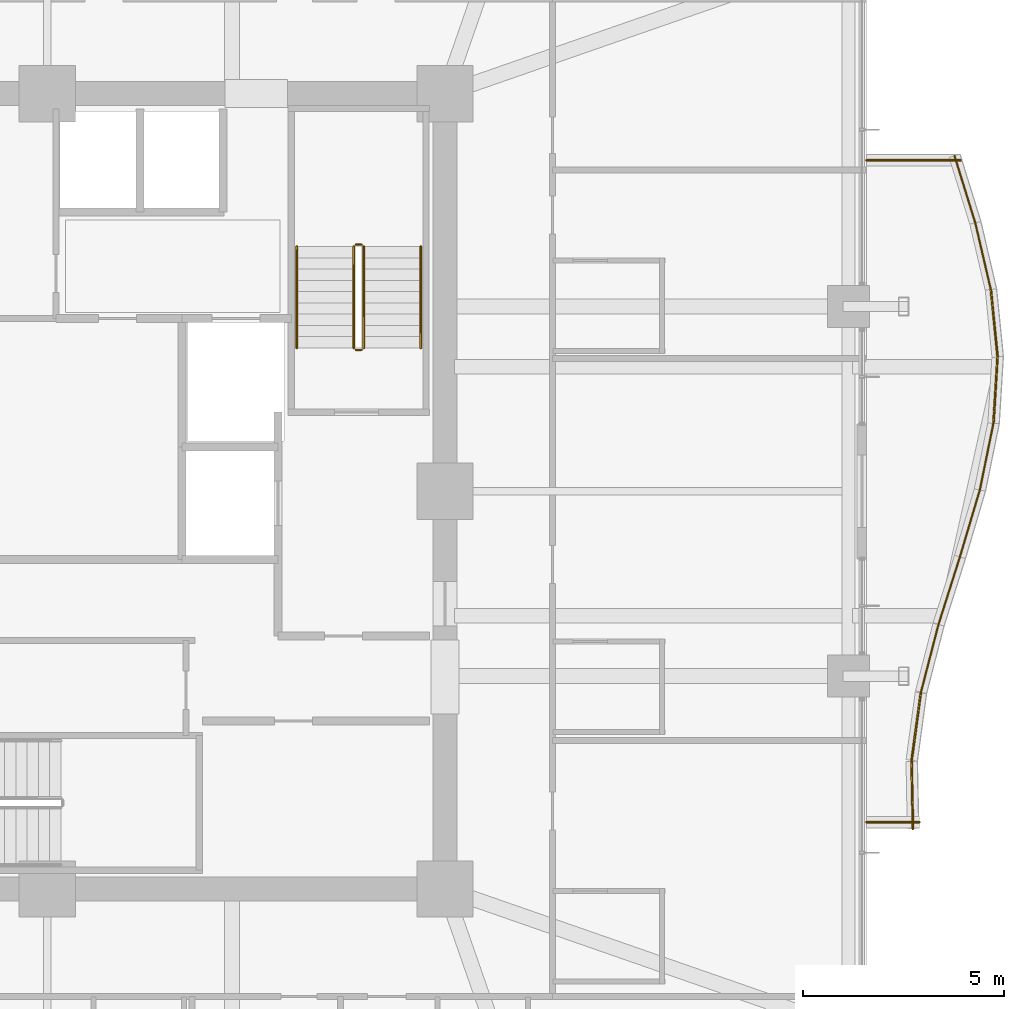
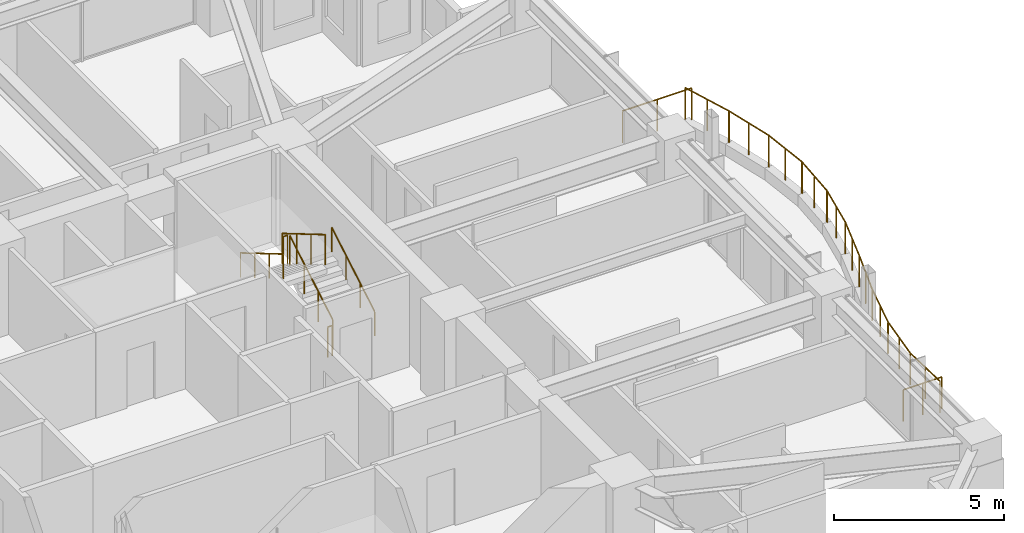
# One storey, part 37 of 37: 18 railings.
"""IFC4 building model written with IfcOpenShell, lengths in metres."""

from ifc_helpers import new_model, si_unit, direction, frame, origin, origin_2d, place, context, subcontext, project, spatial, circle, extrude, material, type_object, element, save


model = new_model("IFC4")

# Units and contexts
model_context = context("Model", 3, precision=1e-05, world=origin(), true_north=direction((0.0, 1.0)))
body_context = subcontext(model_context, "Body", "Model", "MODEL_VIEW")
ifc_project = project(units=[si_unit("LENGTHUNIT", "METRE"), si_unit("AREAUNIT", "SQUARE_METRE"), si_unit("VOLUMEUNIT", "CUBIC_METRE"), si_unit("PLANEANGLEUNIT", "RADIAN"), si_unit("MASSUNIT", "GRAM", prefix="KILO")], contexts=[model_context])

# Site, building, storey
site_placement = place(None, origin())
site = spatial("IfcSite", under=ifc_project, at=site_placement, CompositionType="ELEMENT")
building_placement = place(site_placement, origin())
building = spatial("IfcBuilding", under=site, at=building_placement, Name="Kolvaren Belvedere", CompositionType="ELEMENT")
storey_placement = place(building_placement, frame((0.0, 0.0, 75.5)))
storey = spatial("IfcBuildingStorey", under=building, at=storey_placement, Name="L21", CompositionType="ELEMENT", Elevation=75.5)

# Railings
ifc_material_1 = material(Name="Anodised pale-metal aluminium & laminated glass guard", Category="aluminium")
railing_type_1 = type_object("IfcRailingType", Name="RL-GUARD-1150", PredefinedType="GUARDRAIL", material=ifc_material_1)
railing_1_placement = place(storey_placement, frame((21.552978515625, -8.4033203125, 0.3798828125)))
element("IfcRailing", 1, at=railing_1_placement, inside=storey, type_object=railing_type_1, Name="L21 Exterior Deck Safety Guard BAL-E-1", PredefinedType="GUARDRAIL", context=body_context, shape_type="SweptSolid", body=[
    extrude(circle(Radius=0.02392578125, at=origin_2d()), frame((0.0, 0.0, 1.1259765625), z_axis=(-0.020193498486, 0.99979609052, 0.0), x_axis=(-0.99979609052, -0.020193498486, 0.0)), (0.0, 0.0, 1.0), 1.680419921875),
    extrude(circle(Radius=0.02099609375, at=origin_2d()), origin(), (0.0, 0.0, 1.0), 1.101806640625),
    extrude(circle(Radius=0.02099609375, at=origin_2d()), frame((-0.01708984375, 0.840087890625, 0.0)), (0.0, 0.0, 1.0), 1.101806640625),
    extrude(circle(Radius=0.02099609375, at=origin_2d()), frame((-0.033935546875, 1.68017578125, 0.0)), (0.0, 0.0, 1.0), 1.101806640625),
])
railing_2_placement = place(storey_placement, frame((21.5205078125, -6.698486328125, 0.3798828125)))
element("IfcRailing", 2, at=railing_2_placement, inside=storey, type_object=railing_type_1, Name="L21 Exterior Deck Safety Guard BAL-E-2", PredefinedType="GUARDRAIL", context=body_context, shape_type="SweptSolid", body=[
    extrude(circle(Radius=0.02392578125, at=origin_2d()), frame((0.0, 0.0, 1.1259765625), z_axis=(0.134907602079, 0.990858183042, 0.0), x_axis=(-0.990858183042, 0.134907602079, 0.0)), (0.0, 0.0, 1.0), 1.695556640625),
    extrude(circle(Radius=0.02099609375, at=origin_2d()), origin(), (0.0, 0.0, 1.0), 1.101806640625),
    extrude(circle(Radius=0.02099609375, at=origin_2d()), frame((0.1142578125, 0.840087890625, 0.0)), (0.0, 0.0, 1.0), 1.101806640625),
    extrude(circle(Radius=0.02099609375, at=origin_2d()), frame((0.228759765625, 1.68017578125, 0.0)), (0.0, 0.0, 1.0), 1.101806640625),
])
railing_3_placement = place(storey_placement, frame((21.7529296875, -5.0, 0.3798828125)))
element("IfcRailing", 3, at=railing_3_placement, inside=storey, type_object=railing_type_1, Name="L21 Exterior Deck Safety Guard BAL-E-3", PredefinedType="GUARDRAIL", context=body_context, shape_type="SweptSolid", body=[
    extrude(circle(Radius=0.02392578125, at=origin_2d()), frame((0.0, 0.0, 1.1259765625), z_axis=(0.250405556038, 0.968141031826, 0.0), x_axis=(-0.968141031826, 0.250405556038, 0.0)), (0.0, 0.0, 1.0), 1.7353515625),
    extrude(circle(Radius=0.02099609375, at=origin_2d()), origin(), (0.0, 0.0, 1.0), 1.101806640625),
    extrude(circle(Radius=0.02099609375, at=origin_2d()), frame((0.21728515625, 0.840087890625, 0.0)), (0.0, 0.0, 1.0), 1.101806640625),
    extrude(circle(Radius=0.02099609375, at=origin_2d()), frame((0.4345703125, 1.68017578125, 0.0)), (0.0, 0.0, 1.0), 1.101806640625),
])
railing_4_placement = place(storey_placement, frame((22.18994140625, -3.3115234375, 0.3798828125)))
element("IfcRailing", 4, at=railing_4_placement, inside=storey, type_object=railing_type_1, Name="L21 Exterior Deck Safety Guard BAL-E-4", PredefinedType="GUARDRAIL", context=body_context, shape_type="SweptSolid", body=[
    extrude(circle(Radius=0.02392578125, at=origin_2d()), frame((0.0, 0.0, 1.1259765625), z_axis=(0.302397356111, 0.953181954832, 0.0), x_axis=(-0.953181954832, 0.302397356111, 0.0)), (0.0, 0.0, 1.0), 1.762451171875),
    extrude(circle(Radius=0.02099609375, at=origin_2d()), origin(), (0.0, 0.0, 1.0), 1.101806640625),
    extrude(circle(Radius=0.02099609375, at=origin_2d()), frame((0.2666015625, 0.83984375, 0.0)), (0.0, 0.0, 1.0), 1.101806640625),
    extrude(circle(Radius=0.02099609375, at=origin_2d()), frame((0.532958984375, 1.679931640625, 0.0)), (0.0, 0.0, 1.0), 1.101806640625),
])
railing_5_placement = place(storey_placement, frame((22.721923828125, -1.634521484375, 0.3798828125)))
element("IfcRailing", 5, at=railing_5_placement, inside=storey, type_object=railing_type_1, Name="L21 Exterior Deck Safety Guard BAL-E-5", PredefinedType="GUARDRAIL", context=body_context, shape_type="SweptSolid", body=[
    extrude(circle(Radius=0.02392578125, at=origin_2d()), frame((0.0, 0.0, 1.1259765625), z_axis=(0.284970268083, 0.958536356279, 0.0), x_axis=(-0.958536356279, 0.284970268083, 0.0)), (0.0, 0.0, 1.0), 1.7529296875),
    extrude(circle(Radius=0.02099609375, at=origin_2d()), origin(), (0.0, 0.0, 1.0), 1.101806640625),
    extrude(circle(Radius=0.02099609375, at=origin_2d()), frame((0.249755859375, 0.840087890625, 0.0)), (0.0, 0.0, 1.0), 1.101806640625),
    extrude(circle(Radius=0.02099609375, at=origin_2d()), frame((0.49951171875, 1.68017578125, 0.0)), (0.0, 0.0, 1.0), 1.101806640625),
])
railing_6_placement = place(storey_placement, frame((23.218017578125, 0.031982421875, 0.3798828125)))
element("IfcRailing", 6, at=railing_6_placement, inside=storey, type_object=railing_type_1, Name="L21 Exterior Deck Safety Guard BAL-E-6", PredefinedType="GUARDRAIL", context=body_context, shape_type="SweptSolid", body=[
    extrude(circle(Radius=0.02392578125, at=origin_2d()), frame((0.0, 0.0, 1.1259765625), z_axis=(0.199647526069, 0.979867779516, 0.0), x_axis=(-0.979867779516, 0.199647526069, 0.0)), (0.0, 0.0, 1.0), 1.71435546875),
    extrude(circle(Radius=0.02099609375, at=origin_2d()), origin(), (0.0, 0.0, 1.0), 1.101806640625),
    extrude(circle(Radius=0.02099609375, at=origin_2d()), frame((0.171142578125, 0.83984375, 0.0)), (0.0, 0.0, 1.0), 1.101806640625),
    extrude(circle(Radius=0.02099609375, at=origin_2d()), frame((0.34228515625, 1.679931640625, 0.0)), (0.0, 0.0, 1.0), 1.101806640625),
])
railing_7_placement = place(storey_placement, frame((23.5576171875, 1.689697265625, 0.3798828125)))
element("IfcRailing", 7, at=railing_7_placement, inside=storey, type_object=railing_type_1, Name="L21 Exterior Deck Safety Guard BAL-E-7", PredefinedType="GUARDRAIL", context=body_context, shape_type="SweptSolid", body=[
    extrude(circle(Radius=0.02392578125, at=origin_2d()), frame((0.0, 0.0, 1.1259765625), z_axis=(0.061059932685, 0.998134101522, 0.0), x_axis=(-0.998134101522, 0.061059932685, 0.0)), (0.0, 0.0, 1.0), 1.683349609375),
    extrude(circle(Radius=0.02099609375, at=origin_2d()), origin(), (0.0, 0.0, 1.0), 1.101806640625),
    extrude(circle(Radius=0.02099609375, at=origin_2d()), frame((0.05126953125, 0.840087890625, 0.0)), (0.0, 0.0, 1.0), 1.101806640625),
    extrude(circle(Radius=0.02099609375, at=origin_2d()), frame((0.102783203125, 1.68017578125, 0.0)), (0.0, 0.0, 1.0), 1.101806640625),
])
railing_8_placement = place(storey_placement, frame((23.660888671875, 3.343994140625, 0.3798828125)))
element("IfcRailing", 8, at=railing_8_placement, inside=storey, type_object=railing_type_1, Name="L21 Exterior Deck Safety Guard BAL-E-8", PredefinedType="GUARDRAIL", context=body_context, shape_type="SweptSolid", body=[
    extrude(circle(Radius=0.02392578125, at=origin_2d()), frame((0.0, 0.0, 1.1259765625), z_axis=(-0.099618240186, 0.995025731437, 0.0), x_axis=(-0.995025731437, -0.099618240186, 0.0)), (0.0, 0.0, 1.0), 1.6884765625),
    extrude(circle(Radius=0.02099609375, at=origin_2d()), origin(), (0.0, 0.0, 1.0), 1.101806640625),
    extrude(circle(Radius=0.02099609375, at=origin_2d()), frame((-0.083984375, 0.840087890625, 0.0)), (0.0, 0.0, 1.0), 1.101806640625),
    extrude(circle(Radius=0.02099609375, at=origin_2d()), frame((-0.168212890625, 1.68017578125, 0.0)), (0.0, 0.0, 1.0), 1.101806640625),
])
railing_9_placement = place(storey_placement, frame((23.49609375, 5.003662109375, 0.3798828125)))
element("IfcRailing", 9, at=railing_9_placement, inside=storey, type_object=railing_type_1, Name="L21 Exterior Deck Safety Guard BAL-E-9", PredefinedType="GUARDRAIL", context=body_context, shape_type="SweptSolid", body=[
    extrude(circle(Radius=0.02392578125, at=origin_2d()), frame((0.0, 0.0, 1.1259765625), z_axis=(-0.227019323824, 0.973890253884, 0.0), x_axis=(-0.973890253884, -0.227019323824, 0.0)), (0.0, 0.0, 1.0), 1.724853515625),
    extrude(circle(Radius=0.02099609375, at=origin_2d()), origin(), (0.0, 0.0, 1.0), 1.101806640625),
    extrude(circle(Radius=0.02099609375, at=origin_2d()), frame((-0.19580078125, 0.83984375, 0.0)), (0.0, 0.0, 1.0), 1.101806640625),
    extrude(circle(Radius=0.02099609375, at=origin_2d()), frame((-0.3916015625, 1.679931640625, 0.0)), (0.0, 0.0, 1.0), 1.101806640625),
])
railing_10_placement = place(storey_placement, frame((23.107421875, 6.672607421875, 0.3798828125)))
element("IfcRailing", 10, at=railing_10_placement, inside=storey, type_object=railing_type_1, Name="L21 Exterior Deck Safety Guard BAL-E-10", PredefinedType="GUARDRAIL", context=body_context, shape_type="SweptSolid", body=[
    extrude(circle(Radius=0.02392578125, at=origin_2d()), frame((0.0, 0.0, 1.1259765625), z_axis=(-0.29579229954, 0.955252278476, 0.0), x_axis=(-0.955252278476, -0.29579229954, 0.0)), (0.0, 0.0, 1.0), 1.7587890625),
    extrude(circle(Radius=0.02099609375, at=origin_2d()), origin(), (0.0, 0.0, 1.0), 1.101806640625),
    extrude(circle(Radius=0.02099609375, at=origin_2d()), frame((-0.26025390625, 0.840087890625, 0.0)), (0.0, 0.0, 1.0), 1.101806640625),
    extrude(circle(Radius=0.02099609375, at=origin_2d()), frame((-0.520263671875, 1.68017578125, 0.0)), (0.0, 0.0, 1.0), 1.101806640625),
])
railing_11_placement = place(storey_placement, frame((22.739990234375, 8.239990234375, 0.3798828125)))
element("IfcRailing", 11, at=railing_11_placement, inside=storey, type_object=railing_type_1, Name="L21 Exterior Deck Safety Guard BAL-E-11", PredefinedType="GUARDRAIL", context=body_context, shape_type="SweptSolid", body=[
    extrude(circle(Radius=0.02392578125, at=origin_2d()), frame((0.0, 0.0, 1.1259765625), z_axis=(-1.0, 0.0, 0.0), x_axis=(0.0, -1.0, 0.0)), (0.0, 0.0, 1.0), 2.340087890625),
    extrude(circle(Radius=0.02099609375, at=origin_2d()), origin(), (0.0, 0.0, 1.0), 1.101806640625),
    extrude(circle(Radius=0.02099609375, at=origin_2d()), frame((-1.169921875, 0.0, 0.0)), (0.0, 0.0, 1.0), 1.101806640625),
    extrude(circle(Radius=0.02099609375, at=origin_2d()), frame((-2.340087890625, 0.0, 0.0)), (0.0, 0.0, 1.0), 1.101806640625),
])
railing_12_placement = place(storey_placement, frame((20.39990234375, -8.239990234375, 0.3798828125)))
element("IfcRailing", 12, at=railing_12_placement, inside=storey, type_object=railing_type_1, Name="L21 Exterior Deck Safety Guard BAL-E-22", PredefinedType="GUARDRAIL", context=body_context, shape_type="SweptSolid", body=[
    extrude(circle(Radius=0.02392578125, at=origin_2d()), frame((0.0, 0.0, 1.1259765625), z_axis=(1.0, 0.0, 0.0), x_axis=(0.0, 1.0, 0.0)), (0.0, 0.0, 1.0), 1.31298828125),
    extrude(circle(Radius=0.02099609375, at=origin_2d()), origin(), (0.0, 0.0, 1.0), 1.101806640625),
    extrude(circle(Radius=0.02099609375, at=origin_2d()), frame((0.656494140625, 0.0, 0.0)), (0.0, 0.0, 1.0), 1.101806640625),
    extrude(circle(Radius=0.02099609375, at=origin_2d()), frame((1.31298828125, 0.0, 0.0)), (0.0, 0.0, 1.0), 1.101806640625),
])
ifc_material_2 = material(Name="Brushed stainless-steel handrail", Category="steel")
railing_type_2 = type_object("IfcRailingType", Name="RL-HANDRAIL-920", PredefinedType="HANDRAIL", material=ifc_material_2)
railing_13_placement = place(storey_placement, frame((9.300048828125, 3.570068359375, 0.1650390625)))
element("IfcRailing", 13, at=railing_13_placement, inside=storey, type_object=railing_type_2, Name="L21 ST-2 stair handrail 1", PredefinedType="HANDRAIL", context=body_context, shape_type="SweptSolid", body=[
    extrude(circle(Radius=0.02392578125, at=origin_2d()), frame((0.0, 0.0, 0.8759765625), z_axis=(0.0, 0.861560626758, 0.507654692109), x_axis=(-1.0, 0.0, 0.0)), (0.0, 0.0, 1.0), 2.925048828125),
    extrude(circle(Radius=0.02099609375, at=origin_2d()), origin(), (0.0, 0.0, 1.0), 0.851806640625),
    extrude(circle(Radius=0.02099609375, at=origin_2d()), frame((0.0, 0.840087890625, 0.494873046875)), (0.0, 0.0, 1.0), 0.851806640625),
    extrude(circle(Radius=0.02099609375, at=origin_2d()), frame((0.0, 1.679931640625, 0.989990234375)), (0.0, 0.0, 1.0), 0.851806640625),
    extrude(circle(Radius=0.02099609375, at=origin_2d()), frame((0.0, 2.52001953125, 1.48486328125)), (0.0, 0.0, 1.0), 0.851806640625),
])
railing_14_placement = place(storey_placement, frame((6.2099609375, 6.090087890625, 1.81494140625)))
element("IfcRailing", 14, at=railing_14_placement, inside=storey, type_object=railing_type_2, Name="L21 ST-2 stair handrail 2", PredefinedType="HANDRAIL", context=body_context, shape_type="SweptSolid", body=[
    extrude(circle(Radius=0.02392578125, at=origin_2d()), frame((0.0, 0.0, 0.8759765625), z_axis=(0.0, -0.86152411907, 0.507716645641), x_axis=(1.0, 0.0, 0.0)), (0.0, 0.0, 1.0), 2.925048828125),
    extrude(circle(Radius=0.02099609375, at=origin_2d()), origin(), (0.0, 0.0, 1.0), 0.851806640625),
    extrude(circle(Radius=0.02099609375, at=origin_2d()), frame((0.0, -0.840087890625, 0.4951171875)), (0.0, 0.0, 1.0), 0.851806640625),
    extrude(circle(Radius=0.02099609375, at=origin_2d()), frame((0.0, -1.679931640625, 0.989990234375)), (0.0, 0.0, 1.0), 0.851806640625),
    extrude(circle(Radius=0.02099609375, at=origin_2d()), frame((0.0, -2.52001953125, 1.485107421875)), (0.0, 0.0, 1.0), 0.851806640625),
])
ifc_material_3 = material(Name="Painted tubular steel stair guard", Category="steel")
railing_type_3 = type_object("IfcRailingType", Name="RL-STGUARD-1100", PredefinedType="GUARDRAIL", material=ifc_material_3)
railing_15_placement = place(storey_placement, frame((7.8798828125, 3.570068359375, 0.1650390625)))
element("IfcRailing", 15, at=railing_15_placement, inside=storey, type_object=railing_type_3, Name="L21 ST-2 stair guard 1", PredefinedType="GUARDRAIL", context=body_context, shape_type="SweptSolid", body=[
    extrude(circle(Radius=0.02392578125, at=origin_2d()), frame((0.0, 0.0, 1.076171875), z_axis=(0.0, 0.861560626758, 0.507654692109), x_axis=(-1.0, 0.0, 0.0)), (0.0, 0.0, 1.0), 2.925048828125),
    extrude(circle(Radius=0.02099609375, at=origin_2d()), origin(), (0.0, 0.0, 1.0), 1.052001953125),
    extrude(circle(Radius=0.02099609375, at=origin_2d()), frame((0.0, 0.840087890625, 0.494873046875)), (0.0, 0.0, 1.0), 1.052001953125),
    extrude(circle(Radius=0.02099609375, at=origin_2d()), frame((0.0, 1.679931640625, 0.989990234375)), (0.0, 0.0, 1.0), 1.052001953125),
    extrude(circle(Radius=0.02099609375, at=origin_2d()), frame((0.0, 2.52001953125, 1.48486328125)), (0.0, 0.0, 1.0), 1.052001953125),
])
railing_16_placement = place(storey_placement, frame((7.830078125, 6.139892578125, 1.64990234375)))
element("IfcRailing", 16, at=railing_16_placement, inside=storey, type_object=railing_type_3, Name="L21 ST-2 stair guard 2", PredefinedType="GUARDRAIL", context=body_context, shape_type="SweptSolid", body=[
    extrude(circle(Radius=0.02392578125, at=origin_2d()), frame((0.0, 0.0, 1.076171875), z_axis=(-1.0, 0.0, 0.0), x_axis=(0.0, -1.0, 0.0)), (0.0, 0.0, 1.0), 0.150146484375),
    extrude(circle(Radius=0.02099609375, at=origin_2d()), origin(), (0.0, 0.0, 1.0), 1.052001953125),
    extrude(circle(Radius=0.02099609375, at=origin_2d()), frame((-0.150146484375, 0.0, 0.0)), (0.0, 0.0, 1.0), 1.052001953125),
])
railing_17_placement = place(storey_placement, frame((7.6298828125, 6.090087890625, 1.81494140625)))
element("IfcRailing", 17, at=railing_17_placement, inside=storey, type_object=railing_type_3, Name="L21 ST-2 stair guard 3", PredefinedType="GUARDRAIL", context=body_context, shape_type="SweptSolid", body=[
    extrude(circle(Radius=0.02392578125, at=origin_2d()), frame((0.0, 0.0, 1.076171875), z_axis=(0.0, -0.86152411907, 0.507716645641), x_axis=(1.0, 0.0, 0.0)), (0.0, 0.0, 1.0), 2.925048828125),
    extrude(circle(Radius=0.02099609375, at=origin_2d()), origin(), (0.0, 0.0, 1.0), 1.052001953125),
    extrude(circle(Radius=0.02099609375, at=origin_2d()), frame((0.0, -0.840087890625, 0.4951171875)), (0.0, 0.0, 1.0), 1.052001953125),
    extrude(circle(Radius=0.02099609375, at=origin_2d()), frame((0.0, -1.679931640625, 0.989990234375)), (0.0, 0.0, 1.0), 1.052001953125),
    extrude(circle(Radius=0.02099609375, at=origin_2d()), frame((0.0, -2.52001953125, 1.485107421875)), (0.0, 0.0, 1.0), 1.052001953125),
])
railing_18_placement = place(storey_placement, frame((7.830078125, 3.52001953125, 0.0)))
element("IfcRailing", 18, at=railing_18_placement, inside=storey, type_object=railing_type_3, Name="L21 ST-2 stair guard 4", PredefinedType="GUARDRAIL", context=body_context, shape_type="SweptSolid", body=[
    extrude(circle(Radius=0.02392578125, at=origin_2d()), frame((0.0, 0.0, 1.076171875), z_axis=(-1.0, 0.0, 0.0), x_axis=(0.0, -1.0, 0.0)), (0.0, 0.0, 1.0), 0.150146484375),
    extrude(circle(Radius=0.02099609375, at=origin_2d()), origin(), (0.0, 0.0, 1.0), 1.052001953125),
    extrude(circle(Radius=0.02099609375, at=origin_2d()), frame((-0.150146484375, 0.0, 0.0)), (0.0, 0.0, 1.0), 1.052001953125),
])

save(model, "model.ifc")
